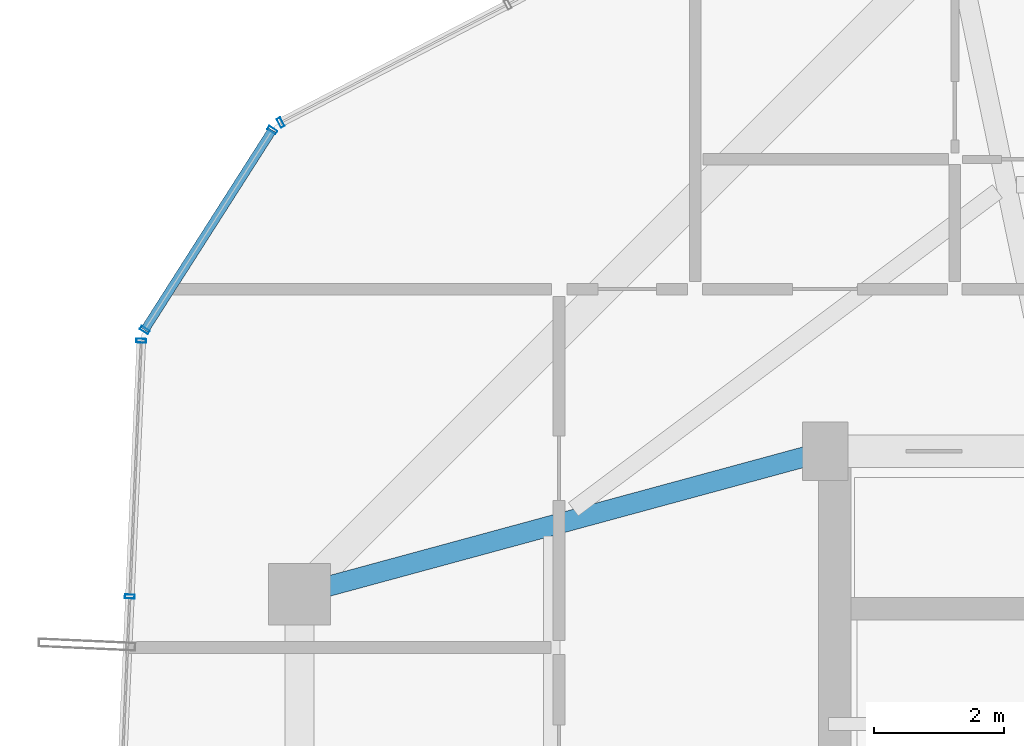
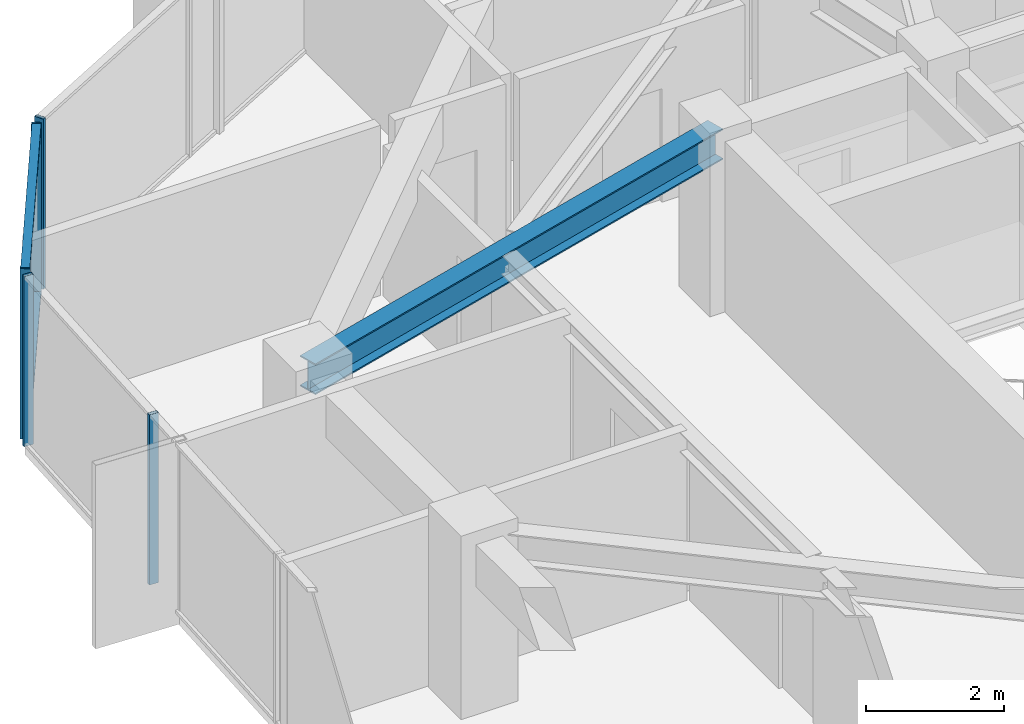
# One storey, part 13 of 29: 7 members, 1 beam, 3 elements without a shape of their own.
"""IFC4 building model written with IfcOpenShell, lengths in metres."""

from ifc_helpers import new_model, si_unit, direction, frame, origin, origin_2d, place, context, subcontext, project, spatial, hollow_rectangle, i_section, extrude, source, transform, mapped, material, layer, layer_set, material_profile, profile_set, type_object, element, aggregate, save


model = new_model("IFC4")

# Units and contexts
model_context = context("Model", 3, precision=1e-05, world=origin(), true_north=direction((0.0, 1.0)))
body_context = subcontext(model_context, "Body", "Model", "MODEL_VIEW")
ifc_project = project(units=[si_unit("LENGTHUNIT", "METRE"), si_unit("AREAUNIT", "SQUARE_METRE"), si_unit("VOLUMEUNIT", "CUBIC_METRE"), si_unit("PLANEANGLEUNIT", "RADIAN"), si_unit("MASSUNIT", "GRAM", prefix="KILO")], contexts=[model_context])

# Site, building, storey
site_placement = place(None, origin())
site = spatial("IfcSite", under=ifc_project, at=site_placement, CompositionType="ELEMENT")
building_placement = place(site_placement, origin())
building = spatial("IfcBuilding", under=site, at=building_placement, Name="Veraguas Prism Commons", CompositionType="ELEMENT")
storey_placement = place(building_placement, frame((0.0, 0.0, 215.64990234375)))
storey = spatial("IfcBuildingStorey", under=building, at=storey_placement, Name="L61", CompositionType="ELEMENT", Elevation=215.64990234375)

# Beam
ifc_material_1 = material(Name="Steel ASTM A992 Grade 50", Category="steel")
ifc_material_profile_1 = material_profile(ifc_material_1, i_section(OverallWidth=0.31103515625, OverallDepth=0.5458984375, WebThickness=0.0146484375, FlangeThickness=0.023681640625, at=origin_2d()), Name="W530X165")
ifc_profile_set_1 = profile_set([ifc_material_profile_1], Name="Steel ASTM A992 Grade 50")
beam_type = type_object("IfcBeamType", Name="Zone 3 Radial Girder W530x165", PredefinedType="BEAM", material=ifc_profile_set_1)
beam_placement = place(storey_placement, frame((9.10009765625, 28.800048828125, 2.7421875), z_axis=(0.965038506703, 0.262108146725, 0.0), x_axis=(-0.262108146725, 0.965038506703, 0.0)))
element("IfcBeam", 1, at=beam_placement, inside=storey, type_object=beam_type, Name="Radial Floor Girder L61-RD07", PredefinedType="BEAM", context=body_context, shape_type="SweptSolid", body=[
    extrude(i_section(OverallWidth=0.31103515625, OverallDepth=0.5458984375, WebThickness=0.0146484375, FlangeThickness=0.023681640625, at=origin_2d()), origin(), (0.0, 0.0, 1.0), 8.393310546875),
])

# Curtain wall, members
ifc_material_2 = material(Name="Anodised aluminium EN AW-6063 T6", Category="aluminium")
ifc_layer = layer(ifc_material_2, 0.14990234375, Name="Unitised Flush Curtain Wall Zone 3", Category="aluminium")
ifc_layer_set = layer_set([ifc_layer], Name="Anodised aluminium EN AW-6063 T6")
curtain_wall_type = type_object("IfcCurtainWallType", Name="Unitised Flush Curtain Wall Zone 3", PredefinedType="NOTDEFINED", material=ifc_layer_set)
curtain_wall_1_placement = place(storey_placement, origin())
curtain_wall_1 = element("IfcCurtainWall", 2, at=curtain_wall_1_placement, inside=storey, type_object=curtain_wall_type, Name="Chamfer Curtain Wall L61-C3", PredefinedType="NOTDEFINED")
ifc_material_profile_2 = material_profile(ifc_material_2, hollow_rectangle(XDim=0.054931640625, YDim=0.135009765625, WallThickness=0.0029296875, at=origin_2d()), Name="AL55X135X3")
ifc_profile_set_2 = profile_set([ifc_material_profile_2], Name="Anodised aluminium EN AW-6063 T6")
member_type_1 = type_object("IfcMemberType", Name="Curtain Wall Transom Standard AL 55x135x3", PredefinedType="USERDEFINED", material=ifc_profile_set_2)
shared_shape_1 = source(origin(), body_context, "Body", "SweptSolid", [
    extrude(hollow_rectangle(XDim=0.054931640625, YDim=0.135009765625, WallThickness=0.0029296875, at=origin_2d()), origin(), (0.0, 0.0, 1.0), 3.654296875),
])
member_1_placement = place(storey_placement, frame((8.680419921875, 35.9501953125, 0.027587890625), z_axis=(-0.538141495416, -0.842854513491, 0.0), x_axis=(0.0, 0.0, 1.0)))
member_1 = element("IfcMember", 3, at=member_1_placement, type_object=member_type_1, Name="CW-Z3 Transom 1", ObjectType="TRANSOM", PredefinedType="USERDEFINED", context=body_context, shape_type="MappedRepresentation", body=[
    mapped(shared_shape_1, transform((0.0, 0.0, 0.0), scale=1.0)),
])
member_2_placement = place(storey_placement, frame((8.680419921875, 35.9501953125, 2.987548828125), z_axis=(-0.538141495416, -0.842854513491, 0.0), x_axis=(0.0, 0.0, 1.0)))
member_2 = element("IfcMember", 4, at=member_2_placement, type_object=member_type_1, Name="CW-Z3 Transom 2", ObjectType="TRANSOM", PredefinedType="USERDEFINED", context=body_context, shape_type="MappedRepresentation", body=[
    mapped(shared_shape_1, transform((0.0, 0.0, 0.0), scale=1.0)),
])

# Curtain wall, member
curtain_wall_2_placement = place(storey_placement, origin())
curtain_wall_2 = element("IfcCurtainWall", 5, at=curtain_wall_2_placement, inside=storey, type_object=curtain_wall_type, Name="Tower Facade Curtain Wall L61-F2", PredefinedType="NOTDEFINED")
ifc_material_profile_3 = material_profile(ifc_material_2, hollow_rectangle(XDim=0.06005859375, YDim=0.14990234375, WallThickness=0.0029296875, at=origin_2d()), Name="AL60X150X3")
ifc_profile_set_3 = profile_set([ifc_material_profile_3], Name="Anodised aluminium EN AW-6063 T6")
member_type_2 = type_object("IfcMemberType", Name="Curtain Wall Mullion Upper AL 60x150x3", PredefinedType="MULLION", material=ifc_profile_set_3)
shared_shape_2 = source(origin(), body_context, "Body", "SweptSolid", [
    extrude(hollow_rectangle(XDim=0.06005859375, YDim=0.14990234375, WallThickness=0.0029296875, at=origin_2d()), origin(), (0.0, 0.0, 1.0), 3.01513671875),
])
member_3_placement = place(storey_placement, frame((8.808837890625, 36.0673828125, 0.0), z_axis=(0.0, 0.0, 1.0), x_axis=(-0.887493888749, -0.46081948465, 0.0)))
member_3 = element("IfcMember", 6, at=member_3_placement, type_object=member_type_2, Name="CW-Z3 Mullion 5", PredefinedType="MULLION", context=body_context, shape_type="MappedRepresentation", body=[
    mapped(shared_shape_2, transform((0.0, 0.0, 0.0), scale=1.0)),
])
aggregate(curtain_wall_2, [member_3])

# Curtain wall, members
curtain_wall_3_placement = place(storey_placement, origin())
curtain_wall_3 = element("IfcCurtainWall", 7, at=curtain_wall_3_placement, inside=storey, type_object=curtain_wall_type, Name="Tower Facade Curtain Wall L61-F3", PredefinedType="NOTDEFINED")
member_4_placement = place(storey_placement, frame((6.661376953125, 32.704345703125, 0.0), z_axis=(0.0, 0.0, 1.0), x_axis=(-0.044665564108, -0.999001995685, 0.0)))
member_4 = element("IfcMember", 8, at=member_4_placement, type_object=member_type_2, Name="CW-Z3 Mullion 1", PredefinedType="MULLION", context=body_context, shape_type="MappedRepresentation", body=[
    mapped(shared_shape_2, transform((0.0, 0.0, 0.0), scale=1.0)),
])
member_5_placement = place(storey_placement, frame((6.485107421875, 28.7626953125, 0.0), z_axis=(0.0, 0.0, 1.0), x_axis=(-0.044665564108, -0.999001995685, 0.0)))
member_5 = element("IfcMember", 9, at=member_5_placement, type_object=member_type_2, Name="CW-Z3 Mullion 2", PredefinedType="MULLION", context=body_context, shape_type="MappedRepresentation", body=[
    mapped(shared_shape_2, transform((0.0, 0.0, 0.0), scale=1.0)),
])
aggregate(curtain_wall_3, [member_4, member_5])

# Member
member_6_placement = place(storey_placement, frame((8.680419921875, 35.9501953125, 0.0), z_axis=(0.0, 0.0, 1.0), x_axis=(-0.538189866079, -0.84282362808, 0.0)))
member_6 = element("IfcMember", 10, at=member_6_placement, type_object=member_type_2, Name="CW-Z3 Mullion 1", PredefinedType="MULLION", context=body_context, shape_type="MappedRepresentation", body=[
    mapped(shared_shape_2, transform((0.0, 0.0, 0.0), scale=1.0)),
])

member_7_placement = place(storey_placement, frame((6.7138671875, 32.8701171875, 0.0), z_axis=(0.0, 0.0, 1.0), x_axis=(-0.538189866079, -0.84282362808, 0.0)))
member_7 = element("IfcMember", 11, at=member_7_placement, type_object=member_type_2, Name="CW-Z3 Mullion 2", PredefinedType="MULLION", context=body_context, shape_type="MappedRepresentation", body=[
    mapped(shared_shape_2, transform((0.0, 0.0, 0.0), scale=1.0)),
])

aggregate(curtain_wall_1, [member_6, member_7, member_1, member_2])

save(model, "model.ifc")
